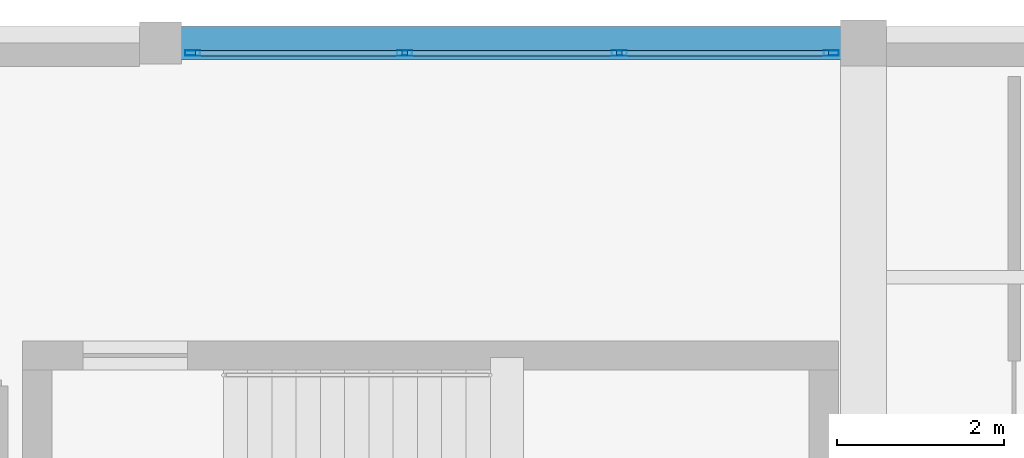
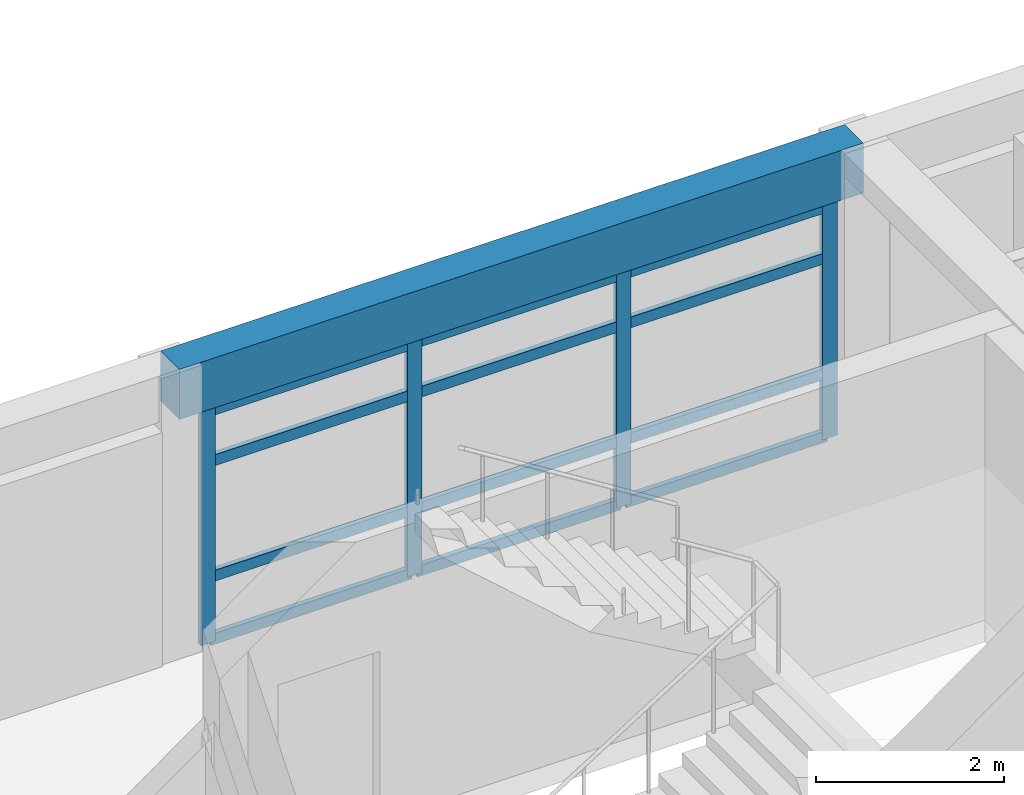
# One storey, part 13 of 20: 16 members, 1 beam, 1 element without a shape of its own.
"""IFC4 building model written with IfcOpenShell, lengths in metres."""

from ifc_helpers import new_model, si_unit, direction, frame, origin, origin_2d, place, context, subcontext, project, spatial, rectangle, hollow_rectangle, extrude, material, material_profile, profile_set, type_object, element, aggregate, save


model = new_model("IFC4")

# Units and contexts
model_context = context("Model", 3, precision=1e-05, world=origin(), true_north=direction((0.0, 1.0)))
body_context = subcontext(model_context, "Body", "Model", "MODEL_VIEW")
ifc_project = project(units=[si_unit("LENGTHUNIT", "METRE"), si_unit("AREAUNIT", "SQUARE_METRE"), si_unit("VOLUMEUNIT", "CUBIC_METRE"), si_unit("PLANEANGLEUNIT", "RADIAN"), si_unit("MASSUNIT", "GRAM", prefix="KILO")], contexts=[model_context])

# Site, building, storey
site_placement = place(None, origin())
site = spatial("IfcSite", under=ifc_project, at=site_placement, CompositionType="ELEMENT")
building_placement = place(site_placement, origin())
building = spatial("IfcBuilding", under=site, at=building_placement, Name="Almacenes y Pasaje Nevantli", CompositionType="ELEMENT")
storey_placement = place(building_placement, frame((0.0, 0.0, 62.699951171875)))
storey = spatial("IfcBuildingStorey", under=building, at=storey_placement, Name="L15", CompositionType="ELEMENT", Elevation=62.699951171875)

# Beam
ifc_material_1 = material(Name="Concrete C35/45", Category="concrete")
ifc_material_profile_1 = material_profile(ifc_material_1, rectangle(XDim=0.39990234375, YDim=0.64990234375, at=origin_2d()), Name="RC-BM-400x650")
ifc_profile_set_1 = profile_set([ifc_material_profile_1], Name="Concrete C35/45")
beam_type = type_object("IfcBeamType", Name="BM-RC-400x650", PredefinedType="SPANDREL", material=ifc_profile_set_1)
beam_placement = place(storey_placement, frame((134.39990234375, 92.39990234375, 3.39501953125), z_axis=(1.0, 0.0, 0.0), x_axis=(0.0, 1.0, 0.0)))
element("IfcBeam", 1, at=beam_placement, inside=storey, type_object=beam_type, Name="L15 East-West Reinforced Concrete Beam #4028", PredefinedType="SPANDREL", context=body_context, shape_type="SweptSolid", body=[
    extrude(rectangle(XDim=0.39990234375, YDim=0.64990234375, at=origin_2d()), origin(), (0.0, 0.0, 1.0), 8.400146484375),
])

# Curtain wall, members
ifc_material_2 = material(Name="Thermally Broken Aluminium and Low-E Glass", Category="aluminium")
curtain_wall_type = type_object("IfcCurtainWallType", Name="CW-UNIT-TOWER", PredefinedType="USERDEFINED", material=ifc_material_2)
curtain_wall_placement = place(storey_placement, origin())
curtain_wall = element("IfcCurtainWall", 2, at=curtain_wall_placement, inside=storey, type_object=curtain_wall_type, Name="L15 Tower North Boulevard Unitized Curtain Wall Bay 17", ObjectType="UNITIZED CURTAIN WALL", PredefinedType="USERDEFINED")
ifc_material_3 = material(Name="Thermally Broken Anodized Aluminium", Category="aluminium")
ifc_material_profile_2 = material_profile(ifc_material_3, hollow_rectangle(XDim=0.06494140625, YDim=0.179931640625, WallThickness=0.00390625, at=origin_2d()), Name="ALU-MUL-65x180")
ifc_profile_set_2 = profile_set([ifc_material_profile_2], Name="Thermally Broken Anodized Aluminium")
member_type_1 = type_object("IfcMemberType", Name="CW-MUL-200", PredefinedType="MULLION", material=ifc_profile_set_2)
member_1_placement = place(storey_placement, frame((134.782470703125, 92.280029296875, 0.0), z_axis=(0.0, 0.0, 1.0), x_axis=(0.0, 1.0, 0.0)))
member_1 = element("IfcMember", 3, at=member_1_placement, type_object=member_type_1, Name="CW-L15-186 mullion 1", PredefinedType="MULLION", context=body_context, shape_type="SweptSolid", body=[
    extrude(hollow_rectangle(XDim=0.06494140625, YDim=0.179931640625, WallThickness=0.00390625, at=origin_2d()), origin(), (0.0, 0.0, 1.0), 3.0400390625),
])
member_2_placement = place(storey_placement, frame((137.316650390625, 92.280029296875, 0.0), z_axis=(0.0, 0.0, 1.0), x_axis=(0.0, 1.0, 0.0)))
member_2 = element("IfcMember", 4, at=member_2_placement, type_object=member_type_1, Name="CW-L15-186 mullion 2", PredefinedType="MULLION", context=body_context, shape_type="SweptSolid", body=[
    extrude(hollow_rectangle(XDim=0.06494140625, YDim=0.179931640625, WallThickness=0.00390625, at=origin_2d()), origin(), (0.0, 0.0, 1.0), 3.0400390625),
])
member_3_placement = place(storey_placement, frame((139.88330078125, 92.280029296875, 0.0), z_axis=(0.0, 0.0, 1.0), x_axis=(0.0, 1.0, 0.0)))
member_3 = element("IfcMember", 5, at=member_3_placement, type_object=member_type_1, Name="CW-L15-186 mullion 3", PredefinedType="MULLION", context=body_context, shape_type="SweptSolid", body=[
    extrude(hollow_rectangle(XDim=0.06494140625, YDim=0.179931640625, WallThickness=0.00390625, at=origin_2d()), origin(), (0.0, 0.0, 1.0), 3.0400390625),
])
member_4_placement = place(storey_placement, frame((142.41748046875, 92.280029296875, 0.0), z_axis=(0.0, 0.0, 1.0), x_axis=(0.0, 1.0, 0.0)))
member_4 = element("IfcMember", 6, at=member_4_placement, type_object=member_type_1, Name="CW-L15-186 mullion 4", PredefinedType="MULLION", context=body_context, shape_type="SweptSolid", body=[
    extrude(hollow_rectangle(XDim=0.06494140625, YDim=0.179931640625, WallThickness=0.00390625, at=origin_2d()), origin(), (0.0, 0.0, 1.0), 3.0400390625),
])
ifc_material_4 = material(Name="Thermally Broken Anodized Aluminium", Category="aluminium")
ifc_material_profile_3 = material_profile(ifc_material_4, hollow_rectangle(XDim=0.06494140625, YDim=0.139892578125, WallThickness=0.00390625, at=origin_2d()), Name="ALU-TRN-65x140")
ifc_profile_set_3 = profile_set([ifc_material_profile_3], Name="Thermally Broken Anodized Aluminium")
member_type_2 = type_object("IfcMemberType", Name="CW-TRN-150", PredefinedType="USERDEFINED", material=ifc_profile_set_3)
member_5_placement = place(storey_placement, frame((134.81494140625, 92.280029296875, 0.032470703125), z_axis=(1.0, 0.0, 0.0), x_axis=(0.0, 1.0, 0.0)))
member_5 = element("IfcMember", 7, at=member_5_placement, type_object=member_type_2, Name="CW-L15-186 transom 1.1", ObjectType="TRANSOM", PredefinedType="USERDEFINED", context=body_context, shape_type="SweptSolid", body=[
    extrude(hollow_rectangle(XDim=0.06494140625, YDim=0.139892578125, WallThickness=0.00390625, at=origin_2d()), origin(), (0.0, 0.0, 1.0), 2.46923828125),
])
member_6_placement = place(storey_placement, frame((134.81494140625, 92.280029296875, 0.85009765625), z_axis=(1.0, 0.0, 0.0), x_axis=(0.0, 1.0, 0.0)))
member_6 = element("IfcMember", 8, at=member_6_placement, type_object=member_type_2, Name="CW-L15-186 transom 1.2", ObjectType="TRANSOM", PredefinedType="USERDEFINED", context=body_context, shape_type="SweptSolid", body=[
    extrude(hollow_rectangle(XDim=0.06494140625, YDim=0.139892578125, WallThickness=0.00390625, at=origin_2d()), origin(), (0.0, 0.0, 1.0), 2.46923828125),
])
member_7_placement = place(storey_placement, frame((134.81494140625, 92.280029296875, 2.35009765625), z_axis=(1.0, 0.0, 0.0), x_axis=(0.0, 1.0, 0.0)))
member_7 = element("IfcMember", 9, at=member_7_placement, type_object=member_type_2, Name="CW-L15-186 transom 1.3", ObjectType="TRANSOM", PredefinedType="USERDEFINED", context=body_context, shape_type="SweptSolid", body=[
    extrude(hollow_rectangle(XDim=0.06494140625, YDim=0.139892578125, WallThickness=0.00390625, at=origin_2d()), origin(), (0.0, 0.0, 1.0), 2.46923828125),
])
member_8_placement = place(storey_placement, frame((134.81494140625, 92.280029296875, 3.007568359375), z_axis=(1.0, 0.0, 0.0), x_axis=(0.0, 1.0, 0.0)))
member_8 = element("IfcMember", 10, at=member_8_placement, type_object=member_type_2, Name="CW-L15-186 transom 1.4", ObjectType="TRANSOM", PredefinedType="USERDEFINED", context=body_context, shape_type="SweptSolid", body=[
    extrude(hollow_rectangle(XDim=0.06494140625, YDim=0.139892578125, WallThickness=0.00390625, at=origin_2d()), origin(), (0.0, 0.0, 1.0), 2.46923828125),
])
member_9_placement = place(storey_placement, frame((137.34912109375, 92.280029296875, 0.032470703125), z_axis=(1.0, 0.0, 0.0), x_axis=(0.0, 1.0, 0.0)))
member_9 = element("IfcMember", 11, at=member_9_placement, type_object=member_type_2, Name="CW-L15-186 transom 2.1", ObjectType="TRANSOM", PredefinedType="USERDEFINED", context=body_context, shape_type="SweptSolid", body=[
    extrude(hollow_rectangle(XDim=0.06494140625, YDim=0.139892578125, WallThickness=0.00390625, at=origin_2d()), origin(), (0.0, 0.0, 1.0), 2.501708984375),
])
member_10_placement = place(storey_placement, frame((137.34912109375, 92.280029296875, 0.85009765625), z_axis=(1.0, 0.0, 0.0), x_axis=(0.0, 1.0, 0.0)))
member_10 = element("IfcMember", 12, at=member_10_placement, type_object=member_type_2, Name="CW-L15-186 transom 2.2", ObjectType="TRANSOM", PredefinedType="USERDEFINED", context=body_context, shape_type="SweptSolid", body=[
    extrude(hollow_rectangle(XDim=0.06494140625, YDim=0.139892578125, WallThickness=0.00390625, at=origin_2d()), origin(), (0.0, 0.0, 1.0), 2.501708984375),
])
member_11_placement = place(storey_placement, frame((137.34912109375, 92.280029296875, 2.35009765625), z_axis=(1.0, 0.0, 0.0), x_axis=(0.0, 1.0, 0.0)))
member_11 = element("IfcMember", 13, at=member_11_placement, type_object=member_type_2, Name="CW-L15-186 transom 2.3", ObjectType="TRANSOM", PredefinedType="USERDEFINED", context=body_context, shape_type="SweptSolid", body=[
    extrude(hollow_rectangle(XDim=0.06494140625, YDim=0.139892578125, WallThickness=0.00390625, at=origin_2d()), origin(), (0.0, 0.0, 1.0), 2.501708984375),
])
member_12_placement = place(storey_placement, frame((137.34912109375, 92.280029296875, 3.007568359375), z_axis=(1.0, 0.0, 0.0), x_axis=(0.0, 1.0, 0.0)))
member_12 = element("IfcMember", 14, at=member_12_placement, type_object=member_type_2, Name="CW-L15-186 transom 2.4", ObjectType="TRANSOM", PredefinedType="USERDEFINED", context=body_context, shape_type="SweptSolid", body=[
    extrude(hollow_rectangle(XDim=0.06494140625, YDim=0.139892578125, WallThickness=0.00390625, at=origin_2d()), origin(), (0.0, 0.0, 1.0), 2.501708984375),
])
member_13_placement = place(storey_placement, frame((139.915771484375, 92.280029296875, 0.032470703125), z_axis=(1.0, 0.0, 0.0), x_axis=(0.0, 1.0, 0.0)))
member_13 = element("IfcMember", 15, at=member_13_placement, type_object=member_type_2, Name="CW-L15-186 transom 3.1", ObjectType="TRANSOM", PredefinedType="USERDEFINED", context=body_context, shape_type="SweptSolid", body=[
    extrude(hollow_rectangle(XDim=0.06494140625, YDim=0.139892578125, WallThickness=0.00390625, at=origin_2d()), origin(), (0.0, 0.0, 1.0), 2.46923828125),
])
member_14_placement = place(storey_placement, frame((139.915771484375, 92.280029296875, 0.85009765625), z_axis=(1.0, 0.0, 0.0), x_axis=(0.0, 1.0, 0.0)))
member_14 = element("IfcMember", 16, at=member_14_placement, type_object=member_type_2, Name="CW-L15-186 transom 3.2", ObjectType="TRANSOM", PredefinedType="USERDEFINED", context=body_context, shape_type="SweptSolid", body=[
    extrude(hollow_rectangle(XDim=0.06494140625, YDim=0.139892578125, WallThickness=0.00390625, at=origin_2d()), origin(), (0.0, 0.0, 1.0), 2.46923828125),
])
member_15_placement = place(storey_placement, frame((139.915771484375, 92.280029296875, 2.35009765625), z_axis=(1.0, 0.0, 0.0), x_axis=(0.0, 1.0, 0.0)))
member_15 = element("IfcMember", 17, at=member_15_placement, type_object=member_type_2, Name="CW-L15-186 transom 3.3", ObjectType="TRANSOM", PredefinedType="USERDEFINED", context=body_context, shape_type="SweptSolid", body=[
    extrude(hollow_rectangle(XDim=0.06494140625, YDim=0.139892578125, WallThickness=0.00390625, at=origin_2d()), origin(), (0.0, 0.0, 1.0), 2.46923828125),
])
member_16_placement = place(storey_placement, frame((139.915771484375, 92.280029296875, 3.007568359375), z_axis=(1.0, 0.0, 0.0), x_axis=(0.0, 1.0, 0.0)))
member_16 = element("IfcMember", 18, at=member_16_placement, type_object=member_type_2, Name="CW-L15-186 transom 3.4", ObjectType="TRANSOM", PredefinedType="USERDEFINED", context=body_context, shape_type="SweptSolid", body=[
    extrude(hollow_rectangle(XDim=0.06494140625, YDim=0.139892578125, WallThickness=0.00390625, at=origin_2d()), origin(), (0.0, 0.0, 1.0), 2.46923828125),
])
aggregate(curtain_wall, [member_1, member_2, member_3, member_4, member_5, member_6, member_7, member_8, member_9, member_10, member_11, member_12, member_13, member_14, member_15, member_16])

save(model, "model.ifc")
